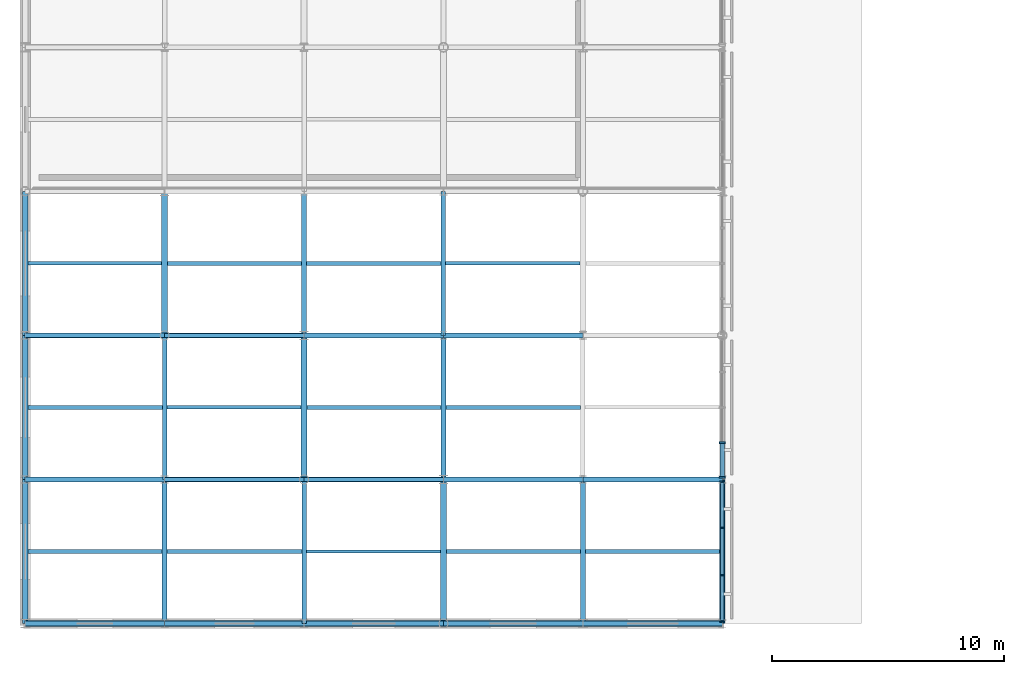
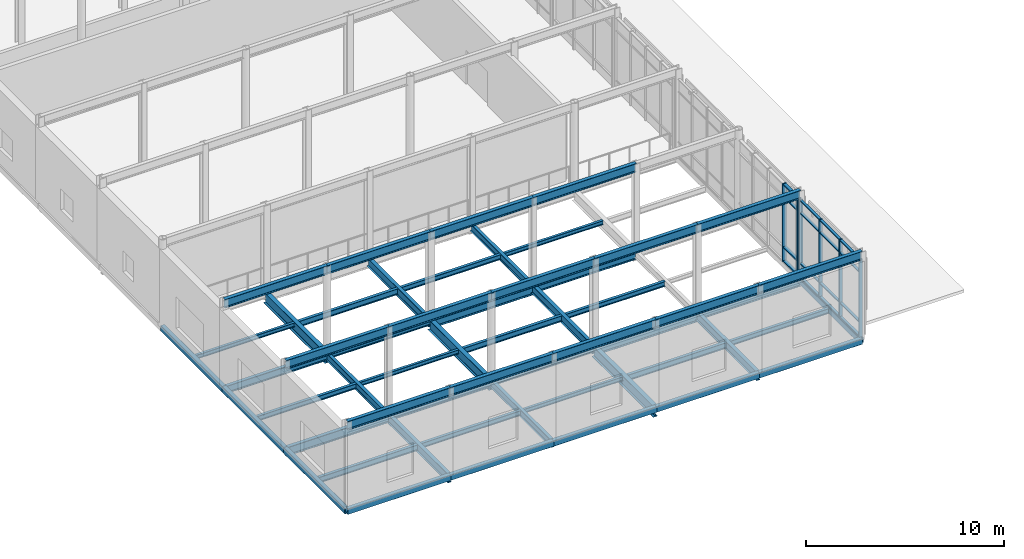
# One storey, part 19 of 105: 55 beams, 22 members, 2 elements without a shape of their own.
"""IFC4 building model written with IfcOpenShell, lengths in metres."""

from ifc_helpers import new_model, si_unit, direction, frame, origin, origin_2d, place, context, subcontext, project, spatial, rectangle, hollow_rectangle, i_section, extrude, material, layer, layer_set, material_profile, profile_set, type_object, element, aggregate, save


model = new_model("IFC4")

# Units and contexts
model_context = context("Model", 3, precision=1e-05, world=origin(), true_north=direction((0.0, 1.0)))
body_context = subcontext(model_context, "Body", "Model", "MODEL_VIEW")
ifc_project = project(units=[si_unit("LENGTHUNIT", "METRE"), si_unit("AREAUNIT", "SQUARE_METRE"), si_unit("VOLUMEUNIT", "CUBIC_METRE"), si_unit("PLANEANGLEUNIT", "RADIAN"), si_unit("MASSUNIT", "GRAM", prefix="KILO")], contexts=[model_context])

# Site, building, storey
site_placement = place(None, origin())
site = spatial("IfcSite", under=ifc_project, at=site_placement, CompositionType="ELEMENT")
building_placement = place(site_placement, origin())
building = spatial("IfcBuilding", under=site, at=building_placement, Name="Mirzam Square Science Centre", CompositionType="ELEMENT")
storey_placement = place(building_placement, frame((0.0, 0.0, 5.39990234375)))
storey = spatial("IfcBuildingStorey", under=building, at=storey_placement, Name="L01", CompositionType="ELEMENT", Elevation=5.39990234375)

# Beams
ifc_material_1 = material(Name="Steel S355", Category="steel")
ifc_material_profile_1 = material_profile(ifc_material_1, i_section(OverallWidth=0.1787109375, OverallDepth=0.409423828125, WebThickness=0.0087890625, FlangeThickness=0.014404296875, FilletRadius=0.01025390625, at=origin_2d()), Name="406x178x67UB")
ifc_profile_set_1 = profile_set([ifc_material_profile_1], Name="Steel S355")
beam_type_1 = type_object("IfcBeamType", Name="BM-UB406", PredefinedType="BEAM", material=ifc_profile_set_1)
for number, where, z_axis, x_axis, name in (
    (1, (12.0, 6.199951171875, -0.45458984375), (1.0, 0.0, 0.0), (0.0, 1.0, 0.0), "L01 girder X3-2"),
    (2, (6.0, 12.39990234375, -0.45458984375), (1.0, 0.0, 0.0), (0.0, 1.0, 0.0), "L01 girder X2-3"),
):
    element("IfcBeam", number, at=place(storey_placement, frame(where, z_axis=z_axis, x_axis=x_axis)), inside=storey, type_object=beam_type_1, Name=name, PredefinedType="BEAM", context=body_context, shape_type="SweptSolid", body=[
        extrude(i_section(OverallWidth=0.1787109375, OverallDepth=0.409423828125, WebThickness=0.0087890625, FlangeThickness=0.014404296875, FilletRadius=0.01025390625, at=origin_2d()), origin(), (0.0, 0.0, 1.0), 6.0),
    ])
ifc_material_profile_2 = material_profile(ifc_material_1, i_section(OverallWidth=0.19140625, OverallDepth=0.4599609375, WebThickness=0.010009765625, FlangeThickness=0.01611328125, FilletRadius=0.01025390625, at=origin_2d()), Name="457x191x82UB")
ifc_profile_set_2 = profile_set([ifc_material_profile_2], Name="Steel S355")
beam_type_2 = type_object("IfcBeamType", Name="BM-UB457", PredefinedType="BEAM", material=ifc_profile_set_2)
for number, where, z_axis, x_axis, name in (
    (3, (6.0, 6.199951171875, -0.47998046875), (1.0, 0.0, 0.0), (0.0, 1.0, 0.0), "L01 girder X2-2"),
    (4, (0.0, 12.39990234375, -0.47998046875), (1.0, 0.0, 0.0), (0.0, 1.0, 0.0), "L01 girder X1-3"),
):
    element("IfcBeam", number, at=place(storey_placement, frame(where, z_axis=z_axis, x_axis=x_axis)), inside=storey, type_object=beam_type_2, Name=name, PredefinedType="BEAM", context=body_context, shape_type="SweptSolid", body=[
        extrude(i_section(OverallWidth=0.19140625, OverallDepth=0.4599609375, WebThickness=0.010009765625, FlangeThickness=0.01611328125, FilletRadius=0.01025390625, at=origin_2d()), origin(), (0.0, 0.0, 1.0), 6.0),
    ])
for number, where, z_axis, x_axis, name in (
    (5, (6.0, 6.199951171875, -0.47998046875), (0.0, 1.0, 0.0), (-1.0, 0.0, 0.0), "L01 girder Y2-2"),
    (6, (12.0, 0.0, -0.47998046875), (0.0, 1.0, 0.0), (-1.0, 0.0, 0.0), "L01 girder Y3-1"),
):
    element("IfcBeam", number, at=place(storey_placement, frame(where, z_axis=z_axis, x_axis=x_axis)), inside=storey, type_object=beam_type_2, Name=name, PredefinedType="BEAM", context=body_context, shape_type="SweptSolid", body=[
        extrude(i_section(OverallWidth=0.19140625, OverallDepth=0.4599609375, WebThickness=0.010009765625, FlangeThickness=0.01611328125, FilletRadius=0.01025390625, at=origin_2d()), origin(), (0.0, 0.0, 1.0), 6.199951171875),
    ])
beam_1_placement = place(storey_placement, frame((18.0, 12.39990234375, -0.47998046875), z_axis=(0.0, 1.0, 0.0), x_axis=(-1.0, 0.0, 0.0)))
element("IfcBeam", 7, at=beam_1_placement, inside=storey, type_object=beam_type_2, Name="L01 girder Y4-3", PredefinedType="BEAM", context=body_context, shape_type="SweptSolid", body=[
    extrude(i_section(OverallWidth=0.19140625, OverallDepth=0.4599609375, WebThickness=0.010009765625, FlangeThickness=0.01611328125, FilletRadius=0.01025390625, at=origin_2d()), origin(), (0.0, 0.0, 1.0), 6.2001953125),
])
ifc_material_profile_3 = material_profile(ifc_material_1, i_section(OverallWidth=0.2099609375, OverallDepth=0.53662109375, WebThickness=0.0107421875, FlangeThickness=0.017333984375, FilletRadius=0.0126953125, at=origin_2d()), Name="533x210x101UB")
ifc_profile_set_3 = profile_set([ifc_material_profile_3], Name="Steel S355")
beam_type_3 = type_object("IfcBeamType", Name="BM-UB533", PredefinedType="BEAM", material=ifc_profile_set_3)
for number, where, z_axis, x_axis, name in (
    (8, (0.0, 6.199951171875, -0.518310546875), (1.0, 0.0, 0.0), (0.0, 1.0, 0.0), "L01 girder X1-2"),
    (9, (24.0, 6.199951171875, -0.518310546875), (1.0, 0.0, 0.0), (0.0, 1.0, 0.0), "L01 girder X5-2"),
    (10, (18.0, 12.39990234375, -0.518310546875), (1.0, 0.0, 0.0), (0.0, 1.0, 0.0), "L01 girder X4-3"),
):
    element("IfcBeam", number, at=place(storey_placement, frame(where, z_axis=z_axis, x_axis=x_axis)), inside=storey, type_object=beam_type_3, Name=name, PredefinedType="BEAM", context=body_context, shape_type="SweptSolid", body=[
        extrude(i_section(OverallWidth=0.2099609375, OverallDepth=0.53662109375, WebThickness=0.0107421875, FlangeThickness=0.017333984375, FilletRadius=0.0126953125, at=origin_2d()), origin(), (0.0, 0.0, 1.0), 6.0),
    ])
beam_2_placement = place(storey_placement, frame((6.0, 0.0, -0.518310546875), z_axis=(0.0, 1.0, 0.0), x_axis=(-1.0, 0.0, 0.0)))
element("IfcBeam", 11, at=beam_2_placement, inside=storey, type_object=beam_type_3, Name="L01 girder Y2-1", PredefinedType="BEAM", context=body_context, shape_type="SweptSolid", body=[
    extrude(i_section(OverallWidth=0.2099609375, OverallDepth=0.53662109375, WebThickness=0.0107421875, FlangeThickness=0.017333984375, FilletRadius=0.0126953125, at=origin_2d()), origin(), (0.0, 0.0, 1.0), 6.199951171875),
])
beam_3_placement = place(storey_placement, frame((12.0, 12.39990234375, -0.518310546875), z_axis=(0.0, 1.0, 0.0), x_axis=(-1.0, 0.0, 0.0)))
element("IfcBeam", 12, at=beam_3_placement, inside=storey, type_object=beam_type_3, Name="L01 girder Y3-3", PredefinedType="BEAM", context=body_context, shape_type="SweptSolid", body=[
    extrude(i_section(OverallWidth=0.2099609375, OverallDepth=0.53662109375, WebThickness=0.0107421875, FlangeThickness=0.017333984375, FilletRadius=0.0126953125, at=origin_2d()), origin(), (0.0, 0.0, 1.0), 6.2001953125),
])
for number, where, z_axis, x_axis, name in (
    (13, (18.0, 6.199951171875, -0.518310546875), (0.0, 1.0, 0.0), (-1.0, 0.0, 0.0), "L01 girder Y4-2"),
    (14, (24.0, 0.0, -0.518310546875), (0.0, 1.0, 0.0), (-1.0, 0.0, 0.0), "L01 girder Y5-1"),
):
    element("IfcBeam", number, at=place(storey_placement, frame(where, z_axis=z_axis, x_axis=x_axis)), inside=storey, type_object=beam_type_3, Name=name, PredefinedType="BEAM", context=body_context, shape_type="SweptSolid", body=[
        extrude(i_section(OverallWidth=0.2099609375, OverallDepth=0.53662109375, WebThickness=0.0107421875, FlangeThickness=0.017333984375, FilletRadius=0.0126953125, at=origin_2d()), origin(), (0.0, 0.0, 1.0), 6.199951171875),
    ])
for number, where, z_axis, x_axis, name in (
    (15, (0.0, 0.0, 4.86181640625), (1.0, 0.0, 0.0), (0.0, 1.0, 0.0), "SW gallery roof girder 1-1"),
    (16, (6.0, 0.0, 4.86181640625), (1.0, 0.0, 0.0), (0.0, 1.0, 0.0), "SW gallery roof girder 2-1"),
    (17, (12.0, 0.0, 4.86181640625), (1.0, 0.0, 0.0), (0.0, 1.0, 0.0), "SW gallery roof girder 3-1"),
    (18, (18.0, 0.0, 4.86181640625), (1.0, 0.0, 0.0), (0.0, 1.0, 0.0), "SW gallery roof girder 4-1"),
    (19, (24.0, 0.0, 4.86181640625), (1.0, 0.0, 0.0), (0.0, 1.0, 0.0), "SW gallery roof girder 5-1"),
    (20, (0.0, 6.199951171875, 4.86181640625), (1.0, 0.0, 0.0), (0.0, 1.0, 0.0), "SW gallery roof girder 1-2"),
    (21, (6.0, 6.199951171875, 4.86181640625), (1.0, 0.0, 0.0), (0.0, 1.0, 0.0), "SW gallery roof girder 2-2"),
    (22, (12.0, 6.199951171875, 4.86181640625), (1.0, 0.0, 0.0), (0.0, 1.0, 0.0), "SW gallery roof girder 3-2"),
    (23, (18.0, 6.199951171875, 4.86181640625), (1.0, 0.0, 0.0), (0.0, 1.0, 0.0), "SW gallery roof girder 4-2"),
    (24, (24.0, 6.199951171875, 4.86181640625), (1.0, 0.0, 0.0), (0.0, 1.0, 0.0), "SW gallery roof girder 5-2"),
    (25, (0.0, 12.39990234375, 4.86181640625), (1.0, 0.0, 0.0), (0.0, 1.0, 0.0), "SW gallery roof girder 1-3"),
    (26, (6.0, 12.39990234375, 4.86181640625), (1.0, 0.0, 0.0), (0.0, 1.0, 0.0), "SW gallery roof girder 2-3"),
    (27, (12.0, 12.39990234375, 4.86181640625), (1.0, 0.0, 0.0), (0.0, 1.0, 0.0), "SW gallery roof girder 3-3"),
    (28, (18.0, 12.39990234375, 4.86181640625), (1.0, 0.0, 0.0), (0.0, 1.0, 0.0), "SW gallery roof girder 4-3"),
):
    element("IfcBeam", number, at=place(storey_placement, frame(where, z_axis=z_axis, x_axis=x_axis)), inside=storey, type_object=beam_type_3, Name=name, PredefinedType="BEAM", context=body_context, shape_type="SweptSolid", body=[
        extrude(i_section(OverallWidth=0.2099609375, OverallDepth=0.53662109375, WebThickness=0.0107421875, FlangeThickness=0.017333984375, FilletRadius=0.0126953125, at=origin_2d()), origin(), (0.0, 0.0, 1.0), 6.0),
    ])
ifc_material_profile_4 = material_profile(ifc_material_1, i_section(OverallWidth=0.22900390625, OverallDepth=0.6123046875, WebThickness=0.011962890625, FlangeThickness=0.01953125, FilletRadius=0.0126953125, at=origin_2d()), Name="610x229x125UB")
ifc_profile_set_4 = profile_set([ifc_material_profile_4], Name="Steel S355")
beam_type_4 = type_object("IfcBeamType", Name="BM-UB610", PredefinedType="BEAM", material=ifc_profile_set_4)
for number, where, z_axis, x_axis, name in (
    (29, (18.0, 6.199951171875, -0.555908203125), (1.0, 0.0, 0.0), (0.0, 1.0, 0.0), "L01 girder X4-2"),
    (30, (12.0, 12.39990234375, -0.555908203125), (1.0, 0.0, 0.0), (0.0, 1.0, 0.0), "L01 girder X3-3"),
):
    element("IfcBeam", number, at=place(storey_placement, frame(where, z_axis=z_axis, x_axis=x_axis)), inside=storey, type_object=beam_type_4, Name=name, PredefinedType="BEAM", context=body_context, shape_type="SweptSolid", body=[
        extrude(i_section(OverallWidth=0.22900390625, OverallDepth=0.6123046875, WebThickness=0.011962890625, FlangeThickness=0.01953125, FilletRadius=0.0126953125, at=origin_2d()), origin(), (0.0, 0.0, 1.0), 6.0),
    ])
ifc_material_profile_5 = material_profile(ifc_material_1, i_section(OverallWidth=0.25439453125, OverallDepth=0.6875, WebThickness=0.01318359375, FlangeThickness=0.02099609375, FilletRadius=0.01513671875, at=origin_2d()), Name="686x254x152UB")
ifc_profile_set_5 = profile_set([ifc_material_profile_5], Name="Steel S355")
beam_type_5 = type_object("IfcBeamType", Name="BM-UB686", PredefinedType="BEAM", material=ifc_profile_set_5)
beam_4_placement = place(storey_placement, frame((6.0, 12.39990234375, -0.593505859375), z_axis=(0.0, 1.0, 0.0), x_axis=(-1.0, 0.0, 0.0)))
element("IfcBeam", 31, at=beam_4_placement, inside=storey, type_object=beam_type_5, Name="L01 girder Y2-3", PredefinedType="BEAM", context=body_context, shape_type="SweptSolid", body=[
    extrude(i_section(OverallWidth=0.25439453125, OverallDepth=0.6875, WebThickness=0.01318359375, FlangeThickness=0.02099609375, FilletRadius=0.01513671875, at=origin_2d()), origin(), (0.0, 0.0, 1.0), 6.2001953125),
])
for number, where, z_axis, x_axis, name in (
    (32, (12.0, 6.199951171875, -0.593505859375), (0.0, 1.0, 0.0), (-1.0, 0.0, 0.0), "L01 girder Y3-2"),
    (33, (18.0, 0.0, -0.593505859375), (0.0, 1.0, 0.0), (-1.0, 0.0, 0.0), "L01 girder Y4-1"),
):
    element("IfcBeam", number, at=place(storey_placement, frame(where, z_axis=z_axis, x_axis=x_axis)), inside=storey, type_object=beam_type_5, Name=name, PredefinedType="BEAM", context=body_context, shape_type="SweptSolid", body=[
        extrude(i_section(OverallWidth=0.25439453125, OverallDepth=0.6875, WebThickness=0.01318359375, FlangeThickness=0.02099609375, FilletRadius=0.01513671875, at=origin_2d()), origin(), (0.0, 0.0, 1.0), 6.199951171875),
    ])

# Curtain wall, members
ifc_material_2 = material(Name="Anodised Aluminium and Low-E Solar Glass", Category="aluminium")
ifc_layer_1 = layer(ifc_material_2, 0.199951171875)
ifc_layer_set_1 = layer_set([ifc_layer_1], Name="CW-PARK-B")
curtain_wall_type_1 = type_object("IfcCurtainWallType", Name="CW-PARK-B", PredefinedType="USERDEFINED", material=ifc_layer_set_1)
curtain_wall_1_placement = place(storey_placement, origin())
curtain_wall_1 = element("IfcCurtainWall", 34, at=curtain_wall_1_placement, inside=storey, type_object=curtain_wall_type_1, Name="L01 unitised curtain wall 40", ObjectType="UNITISED CURTAIN WALL", PredefinedType="USERDEFINED")
ifc_material_3 = material(Name="Anodised Architectural Aluminium 6063-T6", Category="aluminium")
ifc_material_profile_6 = material_profile(ifc_material_3, rectangle(XDim=0.06494140625, YDim=0.199951171875, at=origin_2d()), Name="ALU-MULL-200x65x5")
ifc_profile_set_6 = profile_set([ifc_material_profile_6], Name="Anodised Architectural Aluminium 6063-T6")
member_type_1 = type_object("IfcMemberType", Name="CWM-200", PredefinedType="MULLION", material=ifc_profile_set_6)
member_1_placement = place(storey_placement, frame((30.0, 0.08740234375, -0.25), z_axis=(0.0, 0.0, 1.0), x_axis=(0.0, 1.0, 0.0)))
member_1 = element("IfcMember", 35, at=member_1_placement, type_object=member_type_1, Name="CW-02 mullion 1", PredefinedType="MULLION", context=body_context, shape_type="SweptSolid", body=[
    extrude(rectangle(XDim=0.06494140625, YDim=0.199951171875, at=origin_2d()), origin(), (0.0, 0.0, 1.0), 4.800048828125),
])
member_2_placement = place(storey_placement, frame((30.0, 2.0849609375, -0.25), z_axis=(0.0, 0.0, 1.0), x_axis=(0.0, 1.0, 0.0)))
member_2 = element("IfcMember", 36, at=member_2_placement, type_object=member_type_1, Name="CW-02 mullion 2", PredefinedType="MULLION", context=body_context, shape_type="SweptSolid", body=[
    extrude(rectangle(XDim=0.06494140625, YDim=0.199951171875, at=origin_2d()), origin(), (0.0, 0.0, 1.0), 4.800048828125),
])
member_3_placement = place(storey_placement, frame((30.0, 4.114990234375, -0.25), z_axis=(0.0, 0.0, 1.0), x_axis=(0.0, 1.0, 0.0)))
member_3 = element("IfcMember", 37, at=member_3_placement, type_object=member_type_1, Name="CW-02 mullion 3", PredefinedType="MULLION", context=body_context, shape_type="SweptSolid", body=[
    extrude(rectangle(XDim=0.06494140625, YDim=0.199951171875, at=origin_2d()), origin(), (0.0, 0.0, 1.0), 4.800048828125),
])
member_4_placement = place(storey_placement, frame((30.0, 6.112548828125, -0.25), z_axis=(0.0, 0.0, 1.0), x_axis=(0.0, 1.0, 0.0)))
member_4 = element("IfcMember", 38, at=member_4_placement, type_object=member_type_1, Name="CW-02 mullion 4", PredefinedType="MULLION", context=body_context, shape_type="SweptSolid", body=[
    extrude(rectangle(XDim=0.06494140625, YDim=0.199951171875, at=origin_2d()), origin(), (0.0, 0.0, 1.0), 4.800048828125),
])

ifc_layer_2 = layer(ifc_material_2, 0.159912109375)
ifc_layer_set_2 = layer_set([ifc_layer_2], Name="CW-COURT-A")
curtain_wall_type_2 = type_object("IfcCurtainWallType", Name="CW-COURT-A", PredefinedType="USERDEFINED", material=ifc_layer_set_2)
curtain_wall_2_placement = place(storey_placement, origin())
curtain_wall_2 = element("IfcCurtainWall", 39, at=curtain_wall_2_placement, inside=storey, type_object=curtain_wall_type_2, Name="L01 unitised curtain wall 41", ObjectType="UNITISED CURTAIN WALL", PredefinedType="USERDEFINED")
ifc_material_profile_7 = material_profile(ifc_material_3, rectangle(XDim=0.074951171875, YDim=0.239990234375, at=origin_2d()), Name="ALU-MULL-240x75x5")
ifc_profile_set_7 = profile_set([ifc_material_profile_7], Name="Anodised Architectural Aluminium 6063-T6")
member_type_2 = type_object("IfcMemberType", Name="CWM-240", PredefinedType="MULLION", material=ifc_profile_set_7)
member_5_placement = place(storey_placement, frame((30.0, 6.29248046875, -0.25), z_axis=(0.0, 0.0, 1.0), x_axis=(0.0, 1.0, 0.0)))
member_5 = element("IfcMember", 40, at=member_5_placement, type_object=member_type_2, Name="CW-03 mullion 1", PredefinedType="MULLION", context=body_context, shape_type="SweptSolid", body=[
    extrude(rectangle(XDim=0.074951171875, YDim=0.239990234375, at=origin_2d()), origin(), (0.0, 0.0, 1.0), 4.800048828125),
])
member_6_placement = place(storey_placement, frame((30.0, 7.777587890625, -0.25), z_axis=(0.0, 0.0, 1.0), x_axis=(0.0, 1.0, 0.0)))
member_6 = element("IfcMember", 41, at=member_6_placement, type_object=member_type_2, Name="CW-03 mullion 2", PredefinedType="MULLION", context=body_context, shape_type="SweptSolid", body=[
    extrude(rectangle(XDim=0.074951171875, YDim=0.239990234375, at=origin_2d()), origin(), (0.0, 0.0, 1.0), 4.800048828125),
])

# Member
ifc_material_profile_8 = material_profile(ifc_material_3, rectangle(XDim=0.14990234375, YDim=0.06494140625, at=origin_2d()), Name="ALU-TRAN-150x65x4")
ifc_profile_set_8 = profile_set([ifc_material_profile_8], Name="Anodised Architectural Aluminium 6063-T6")
member_type_3 = type_object("IfcMemberType", Name="CWT-150", PredefinedType="USERDEFINED", material=ifc_profile_set_8)
member_7_placement = place(storey_placement, frame((30.0, 0.1201171875, -0.21728515625), z_axis=(0.0, 1.0, 0.0), x_axis=(-1.0, 0.0, 0.0)))
member_7 = element("IfcMember", 42, at=member_7_placement, type_object=member_type_3, Name="CW-02 transom 1.1", ObjectType="TRANSOM", PredefinedType="USERDEFINED", context=body_context, shape_type="SweptSolid", body=[
    extrude(rectangle(XDim=0.14990234375, YDim=0.06494140625, at=origin_2d()), origin(), (0.0, 0.0, 1.0), 1.932373046875),
])

member_8_placement = place(storey_placement, frame((30.0, 0.1201171875, 0.650146484375), z_axis=(0.0, 1.0, 0.0), x_axis=(-1.0, 0.0, 0.0)))
member_8 = element("IfcMember", 43, at=member_8_placement, type_object=member_type_3, Name="CW-02 transom 1.2", ObjectType="TRANSOM", PredefinedType="USERDEFINED", context=body_context, shape_type="SweptSolid", body=[
    extrude(rectangle(XDim=0.14990234375, YDim=0.06494140625, at=origin_2d()), origin(), (0.0, 0.0, 1.0), 1.932373046875),
])

member_9_placement = place(storey_placement, frame((30.0, 0.1201171875, 3.75), z_axis=(0.0, 1.0, 0.0), x_axis=(-1.0, 0.0, 0.0)))
member_9 = element("IfcMember", 44, at=member_9_placement, type_object=member_type_3, Name="CW-02 transom 1.3", ObjectType="TRANSOM", PredefinedType="USERDEFINED", context=body_context, shape_type="SweptSolid", body=[
    extrude(rectangle(XDim=0.14990234375, YDim=0.06494140625, at=origin_2d()), origin(), (0.0, 0.0, 1.0), 1.932373046875),
])

member_10_placement = place(storey_placement, frame((30.0, 0.1201171875, 4.517578125), z_axis=(0.0, 1.0, 0.0), x_axis=(-1.0, 0.0, 0.0)))
member_10 = element("IfcMember", 45, at=member_10_placement, type_object=member_type_3, Name="CW-02 transom 1.4", ObjectType="TRANSOM", PredefinedType="USERDEFINED", context=body_context, shape_type="SweptSolid", body=[
    extrude(rectangle(XDim=0.14990234375, YDim=0.06494140625, at=origin_2d()), origin(), (0.0, 0.0, 1.0), 1.932373046875),
])

member_11_placement = place(storey_placement, frame((30.0, 2.117431640625, -0.21728515625), z_axis=(0.0, 1.0, 0.0), x_axis=(-1.0, 0.0, 0.0)))
member_11 = element("IfcMember", 46, at=member_11_placement, type_object=member_type_3, Name="CW-02 transom 2.1", ObjectType="TRANSOM", PredefinedType="USERDEFINED", context=body_context, shape_type="SweptSolid", body=[
    extrude(rectangle(XDim=0.14990234375, YDim=0.06494140625, at=origin_2d()), origin(), (0.0, 0.0, 1.0), 1.965087890625),
])

member_12_placement = place(storey_placement, frame((30.0, 2.117431640625, 0.650146484375), z_axis=(0.0, 1.0, 0.0), x_axis=(-1.0, 0.0, 0.0)))
member_12 = element("IfcMember", 47, at=member_12_placement, type_object=member_type_3, Name="CW-02 transom 2.2", ObjectType="TRANSOM", PredefinedType="USERDEFINED", context=body_context, shape_type="SweptSolid", body=[
    extrude(rectangle(XDim=0.14990234375, YDim=0.06494140625, at=origin_2d()), origin(), (0.0, 0.0, 1.0), 1.965087890625),
])

member_13_placement = place(storey_placement, frame((30.0, 2.117431640625, 3.75), z_axis=(0.0, 1.0, 0.0), x_axis=(-1.0, 0.0, 0.0)))
member_13 = element("IfcMember", 48, at=member_13_placement, type_object=member_type_3, Name="CW-02 transom 2.3", ObjectType="TRANSOM", PredefinedType="USERDEFINED", context=body_context, shape_type="SweptSolid", body=[
    extrude(rectangle(XDim=0.14990234375, YDim=0.06494140625, at=origin_2d()), origin(), (0.0, 0.0, 1.0), 1.965087890625),
])

member_14_placement = place(storey_placement, frame((30.0, 2.117431640625, 4.517578125), z_axis=(0.0, 1.0, 0.0), x_axis=(-1.0, 0.0, 0.0)))
member_14 = element("IfcMember", 49, at=member_14_placement, type_object=member_type_3, Name="CW-02 transom 2.4", ObjectType="TRANSOM", PredefinedType="USERDEFINED", context=body_context, shape_type="SweptSolid", body=[
    extrude(rectangle(XDim=0.14990234375, YDim=0.06494140625, at=origin_2d()), origin(), (0.0, 0.0, 1.0), 1.965087890625),
])

member_15_placement = place(storey_placement, frame((30.0, 4.1474609375, -0.21728515625), z_axis=(0.0, 1.0, 0.0), x_axis=(-1.0, 0.0, 0.0)))
member_15 = element("IfcMember", 50, at=member_15_placement, type_object=member_type_3, Name="CW-02 transom 3.1", ObjectType="TRANSOM", PredefinedType="USERDEFINED", context=body_context, shape_type="SweptSolid", body=[
    extrude(rectangle(XDim=0.14990234375, YDim=0.06494140625, at=origin_2d()), origin(), (0.0, 0.0, 1.0), 1.9326171875),
])

member_16_placement = place(storey_placement, frame((30.0, 4.1474609375, 0.650146484375), z_axis=(0.0, 1.0, 0.0), x_axis=(-1.0, 0.0, 0.0)))
member_16 = element("IfcMember", 51, at=member_16_placement, type_object=member_type_3, Name="CW-02 transom 3.2", ObjectType="TRANSOM", PredefinedType="USERDEFINED", context=body_context, shape_type="SweptSolid", body=[
    extrude(rectangle(XDim=0.14990234375, YDim=0.06494140625, at=origin_2d()), origin(), (0.0, 0.0, 1.0), 1.9326171875),
])

member_17_placement = place(storey_placement, frame((30.0, 4.1474609375, 3.75), z_axis=(0.0, 1.0, 0.0), x_axis=(-1.0, 0.0, 0.0)))
member_17 = element("IfcMember", 52, at=member_17_placement, type_object=member_type_3, Name="CW-02 transom 3.3", ObjectType="TRANSOM", PredefinedType="USERDEFINED", context=body_context, shape_type="SweptSolid", body=[
    extrude(rectangle(XDim=0.14990234375, YDim=0.06494140625, at=origin_2d()), origin(), (0.0, 0.0, 1.0), 1.9326171875),
])

member_18_placement = place(storey_placement, frame((30.0, 4.1474609375, 4.517578125), z_axis=(0.0, 1.0, 0.0), x_axis=(-1.0, 0.0, 0.0)))
member_18 = element("IfcMember", 53, at=member_18_placement, type_object=member_type_3, Name="CW-02 transom 3.4", ObjectType="TRANSOM", PredefinedType="USERDEFINED", context=body_context, shape_type="SweptSolid", body=[
    extrude(rectangle(XDim=0.14990234375, YDim=0.06494140625, at=origin_2d()), origin(), (0.0, 0.0, 1.0), 1.9326171875),
])

aggregate(curtain_wall_1, [member_1, member_2, member_3, member_4, member_7, member_8, member_9, member_10, member_11, member_12, member_13, member_14, member_15, member_16, member_17, member_18])

ifc_material_profile_9 = material_profile(ifc_material_3, rectangle(XDim=0.179931640625, YDim=0.074951171875, at=origin_2d()), Name="ALU-TRAN-180x75x5")
ifc_profile_set_9 = profile_set([ifc_material_profile_9], Name="Anodised Architectural Aluminium 6063-T6")
member_type_4 = type_object("IfcMemberType", Name="CWT-180", PredefinedType="USERDEFINED", material=ifc_profile_set_9)
member_19_placement = place(storey_placement, frame((30.0, 6.330078125, -0.21240234375), z_axis=(0.0, 1.0, 0.0), x_axis=(-1.0, 0.0, 0.0)))
member_19 = element("IfcMember", 54, at=member_19_placement, type_object=member_type_4, Name="CW-03 transom 1.1", ObjectType="TRANSOM", PredefinedType="USERDEFINED", context=body_context, shape_type="SweptSolid", body=[
    extrude(rectangle(XDim=0.179931640625, YDim=0.074951171875, at=origin_2d()), origin(), (0.0, 0.0, 1.0), 1.409912109375),
])

member_20_placement = place(storey_placement, frame((30.0, 6.330078125, 0.650146484375), z_axis=(0.0, 1.0, 0.0), x_axis=(-1.0, 0.0, 0.0)))
member_20 = element("IfcMember", 55, at=member_20_placement, type_object=member_type_4, Name="CW-03 transom 1.2", ObjectType="TRANSOM", PredefinedType="USERDEFINED", context=body_context, shape_type="SweptSolid", body=[
    extrude(rectangle(XDim=0.179931640625, YDim=0.074951171875, at=origin_2d()), origin(), (0.0, 0.0, 1.0), 1.409912109375),
])

member_21_placement = place(storey_placement, frame((30.0, 6.330078125, 3.75), z_axis=(0.0, 1.0, 0.0), x_axis=(-1.0, 0.0, 0.0)))
member_21 = element("IfcMember", 56, at=member_21_placement, type_object=member_type_4, Name="CW-03 transom 1.3", ObjectType="TRANSOM", PredefinedType="USERDEFINED", context=body_context, shape_type="SweptSolid", body=[
    extrude(rectangle(XDim=0.179931640625, YDim=0.074951171875, at=origin_2d()), origin(), (0.0, 0.0, 1.0), 1.409912109375),
])

member_22_placement = place(storey_placement, frame((30.0, 6.330078125, 4.5126953125), z_axis=(0.0, 1.0, 0.0), x_axis=(-1.0, 0.0, 0.0)))
member_22 = element("IfcMember", 57, at=member_22_placement, type_object=member_type_4, Name="CW-03 transom 1.4", ObjectType="TRANSOM", PredefinedType="USERDEFINED", context=body_context, shape_type="SweptSolid", body=[
    extrude(rectangle(XDim=0.179931640625, YDim=0.074951171875, at=origin_2d()), origin(), (0.0, 0.0, 1.0), 1.409912109375),
])

aggregate(curtain_wall_2, [member_5, member_6, member_19, member_20, member_21, member_22])

# Beams
ifc_material_profile_10 = material_profile(ifc_material_1, i_section(OverallWidth=0.146484375, OverallDepth=0.256103515625, WebThickness=0.00634765625, FlangeThickness=0.010986328125, FilletRadius=0.007568359375, at=origin_2d()), Name="254x146x37UB")
ifc_profile_set_10 = profile_set([ifc_material_profile_10], Name="Steel S355")
beam_type_6 = type_object("IfcBeamType", Name="JS-UB254", PredefinedType="JOIST", material=ifc_profile_set_10)
beam_5_placement = place(storey_placement, frame((0.125, 15.5, -0.3779296875), z_axis=(1.0, 0.0, 0.0), x_axis=(0.0, 1.0, 0.0)))
element("IfcBeam", 58, at=beam_5_placement, inside=storey, type_object=beam_type_6, Name="L01 composite joist 1-3", PredefinedType="JOIST", context=body_context, shape_type="SweptSolid", body=[
    extrude(i_section(OverallWidth=0.146484375, OverallDepth=0.256103515625, WebThickness=0.00634765625, FlangeThickness=0.010986328125, FilletRadius=0.007568359375, at=origin_2d()), origin(), (0.0, 0.0, 1.0), 5.747802734375),
])
for number, where, z_axis, x_axis, name in (
    (59, (6.095703125, 9.300048828125, -0.3779296875), (1.0, 0.0, 0.0), (0.0, 1.0, 0.0), "L01 composite joist 2-2"),
    (60, (12.095703125, 3.10009765625, -0.3779296875), (1.0, 0.0, 0.0), (0.0, 1.0, 0.0), "L01 composite joist 3-1"),
    (61, (18.095703125, 15.5, -0.3779296875), (1.0, 0.0, 0.0), (0.0, 1.0, 0.0), "L01 composite joist 4-3"),
):
    element("IfcBeam", number, at=place(storey_placement, frame(where, z_axis=z_axis, x_axis=x_axis)), inside=storey, type_object=beam_type_6, Name=name, PredefinedType="JOIST", context=body_context, shape_type="SweptSolid", body=[
        extrude(i_section(OverallWidth=0.146484375, OverallDepth=0.256103515625, WebThickness=0.00634765625, FlangeThickness=0.010986328125, FilletRadius=0.007568359375, at=origin_2d()), origin(), (0.0, 0.0, 1.0), 5.777099609375),
    ])
ifc_material_profile_11 = material_profile(ifc_material_1, i_section(OverallWidth=0.165771484375, OverallDepth=0.306640625, WebThickness=0.006591796875, FlangeThickness=0.01171875, FilletRadius=0.0087890625, at=origin_2d()), Name="305x165x46UB")
ifc_profile_set_11 = profile_set([ifc_material_profile_11], Name="Steel S355")
beam_type_7 = type_object("IfcBeamType", Name="JS-UB305", PredefinedType="JOIST", material=ifc_profile_set_11)
beam_6_placement = place(storey_placement, frame((0.125, 9.300048828125, -0.4033203125), z_axis=(1.0, 0.0, 0.0), x_axis=(0.0, 1.0, 0.0)))
element("IfcBeam", 62, at=beam_6_placement, inside=storey, type_object=beam_type_7, Name="L01 composite joist 1-2", PredefinedType="JOIST", context=body_context, shape_type="SweptSolid", body=[
    extrude(i_section(OverallWidth=0.165771484375, OverallDepth=0.306640625, WebThickness=0.006591796875, FlangeThickness=0.01171875, FilletRadius=0.0087890625, at=origin_2d()), origin(), (0.0, 0.0, 1.0), 5.779296875),
])
for number, where, z_axis, x_axis, name in (
    (63, (6.10498046875, 3.10009765625, -0.4033203125), (1.0, 0.0, 0.0), (0.0, 1.0, 0.0), "L01 composite joist 2-1"),
    (64, (12.10498046875, 15.5, -0.4033203125), (1.0, 0.0, 0.0), (0.0, 1.0, 0.0), "L01 composite joist 3-3"),
    (65, (18.10498046875, 9.300048828125, -0.4033203125), (1.0, 0.0, 0.0), (0.0, 1.0, 0.0), "L01 composite joist 4-2"),
):
    element("IfcBeam", number, at=place(storey_placement, frame(where, z_axis=z_axis, x_axis=x_axis)), inside=storey, type_object=beam_type_7, Name=name, PredefinedType="JOIST", context=body_context, shape_type="SweptSolid", body=[
        extrude(i_section(OverallWidth=0.165771484375, OverallDepth=0.306640625, WebThickness=0.006591796875, FlangeThickness=0.01171875, FilletRadius=0.0087890625, at=origin_2d()), origin(), (0.0, 0.0, 1.0), 5.79931640625),
    ])
beam_7_placement = place(storey_placement, frame((24.10498046875, 3.10009765625, -0.4033203125), z_axis=(1.0, 0.0, 0.0), x_axis=(0.0, 1.0, 0.0)))
element("IfcBeam", 66, at=beam_7_placement, inside=storey, type_object=beam_type_7, Name="L01 composite joist 5-1", PredefinedType="JOIST", context=body_context, shape_type="SweptSolid", body=[
    extrude(i_section(OverallWidth=0.165771484375, OverallDepth=0.306640625, WebThickness=0.006591796875, FlangeThickness=0.01171875, FilletRadius=0.0087890625, at=origin_2d()), origin(), (0.0, 0.0, 1.0), 5.77001953125),
])
ifc_material_profile_12 = material_profile(ifc_material_1, i_section(OverallWidth=0.172119140625, OverallDepth=0.35791015625, WebThickness=0.008056640625, FlangeThickness=0.012939453125, FilletRadius=0.01025390625, at=origin_2d()), Name="356x171x57UB")
ifc_profile_set_12 = profile_set([ifc_material_profile_12], Name="Steel S355")
beam_type_8 = type_object("IfcBeamType", Name="JS-UB356", PredefinedType="JOIST", material=ifc_profile_set_12)
beam_8_placement = place(storey_placement, frame((0.125, 3.10009765625, -0.428955078125), z_axis=(1.0, 0.0, 0.0), x_axis=(0.0, 1.0, 0.0)))
element("IfcBeam", 67, at=beam_8_placement, inside=storey, type_object=beam_type_8, Name="L01 composite joist 1-1", PredefinedType="JOIST", context=body_context, shape_type="SweptSolid", body=[
    extrude(i_section(OverallWidth=0.172119140625, OverallDepth=0.35791015625, WebThickness=0.008056640625, FlangeThickness=0.012939453125, FilletRadius=0.01025390625, at=origin_2d()), origin(), (0.0, 0.0, 1.0), 5.77001953125),
])
for number, where, z_axis, x_axis, name in (
    (68, (6.127197265625, 15.5, -0.428955078125), (1.0, 0.0, 0.0), (0.0, 1.0, 0.0), "L01 composite joist 2-3"),
    (69, (12.127197265625, 9.300048828125, -0.428955078125), (1.0, 0.0, 0.0), (0.0, 1.0, 0.0), "L01 composite joist 3-2"),
    (70, (18.127197265625, 3.10009765625, -0.428955078125), (1.0, 0.0, 0.0), (0.0, 1.0, 0.0), "L01 composite joist 4-1"),
):
    element("IfcBeam", number, at=place(storey_placement, frame(where, z_axis=z_axis, x_axis=x_axis)), inside=storey, type_object=beam_type_8, Name=name, PredefinedType="JOIST", context=body_context, shape_type="SweptSolid", body=[
        extrude(i_section(OverallWidth=0.172119140625, OverallDepth=0.35791015625, WebThickness=0.008056640625, FlangeThickness=0.012939453125, FilletRadius=0.01025390625, at=origin_2d()), origin(), (0.0, 0.0, 1.0), 5.767822265625),
    ])
ifc_material_profile_13 = material_profile(ifc_material_1, hollow_rectangle(XDim=0.25, YDim=0.35009765625, WallThickness=0.012451171875, InnerFilletRadius=0.012451171875, OuterFilletRadius=0.02490234375, at=origin_2d()), Name="350x250x12.5RHS")
ifc_profile_set_13 = profile_set([ifc_material_profile_13], Name="Steel S355")
beam_type_9 = type_object("IfcBeamType", Name="SP-RHS350", PredefinedType="SPANDREL", material=ifc_profile_set_13)
for number, where, z_axis, x_axis, name in (
    (71, (0.0, 0.0, -0.4248046875), (1.0, 0.0, 0.0), (0.0, 1.0, 0.0), "L01 girder X1-1"),
    (72, (6.0, 0.0, -0.4248046875), (1.0, 0.0, 0.0), (0.0, 1.0, 0.0), "L01 girder X2-1"),
    (73, (12.0, 0.0, -0.4248046875), (1.0, 0.0, 0.0), (0.0, 1.0, 0.0), "L01 girder X3-1"),
    (74, (18.0, 0.0, -0.4248046875), (1.0, 0.0, 0.0), (0.0, 1.0, 0.0), "L01 girder X4-1"),
    (75, (24.0, 0.0, -0.4248046875), (1.0, 0.0, 0.0), (0.0, 1.0, 0.0), "L01 girder X5-1"),
):
    element("IfcBeam", number, at=place(storey_placement, frame(where, z_axis=z_axis, x_axis=x_axis)), inside=storey, type_object=beam_type_9, Name=name, PredefinedType="SPANDREL", context=body_context, shape_type="SweptSolid", body=[
        extrude(hollow_rectangle(XDim=0.25, YDim=0.35009765625, WallThickness=0.012451171875, InnerFilletRadius=0.012451171875, OuterFilletRadius=0.02490234375, at=origin_2d()), origin(), (0.0, 0.0, 1.0), 6.0),
    ])
for number, where, z_axis, x_axis, name in (
    (76, (0.0, 0.0, -0.4248046875), (0.0, 1.0, 0.0), (-1.0, 0.0, 0.0), "L01 girder Y1-1"),
    (77, (0.0, 6.199951171875, -0.4248046875), (0.0, 1.0, 0.0), (-1.0, 0.0, 0.0), "L01 girder Y1-2"),
):
    element("IfcBeam", number, at=place(storey_placement, frame(where, z_axis=z_axis, x_axis=x_axis)), inside=storey, type_object=beam_type_9, Name=name, PredefinedType="SPANDREL", context=body_context, shape_type="SweptSolid", body=[
        extrude(hollow_rectangle(XDim=0.25, YDim=0.35009765625, WallThickness=0.012451171875, InnerFilletRadius=0.012451171875, OuterFilletRadius=0.02490234375, at=origin_2d()), origin(), (0.0, 0.0, 1.0), 6.199951171875),
    ])
beam_9_placement = place(storey_placement, frame((0.0, 12.39990234375, -0.4248046875), z_axis=(0.0, 1.0, 0.0), x_axis=(-1.0, 0.0, 0.0)))
element("IfcBeam", 78, at=beam_9_placement, inside=storey, type_object=beam_type_9, Name="L01 girder Y1-3", PredefinedType="SPANDREL", context=body_context, shape_type="SweptSolid", body=[
    extrude(hollow_rectangle(XDim=0.25, YDim=0.35009765625, WallThickness=0.012451171875, InnerFilletRadius=0.012451171875, OuterFilletRadius=0.02490234375, at=origin_2d()), origin(), (0.0, 0.0, 1.0), 6.2001953125),
])
beam_10_placement = place(storey_placement, frame((30.0, 0.0, -0.4248046875), z_axis=(0.0, 1.0, 0.0), x_axis=(-1.0, 0.0, 0.0)))
element("IfcBeam", 79, at=beam_10_placement, inside=storey, type_object=beam_type_9, Name="L01 girder Y6-1", PredefinedType="SPANDREL", context=body_context, shape_type="SweptSolid", body=[
    extrude(hollow_rectangle(XDim=0.25, YDim=0.35009765625, WallThickness=0.012451171875, InnerFilletRadius=0.012451171875, OuterFilletRadius=0.02490234375, at=origin_2d()), origin(), (0.0, 0.0, 1.0), 6.199951171875),
])

save(model, "model.ifc")
